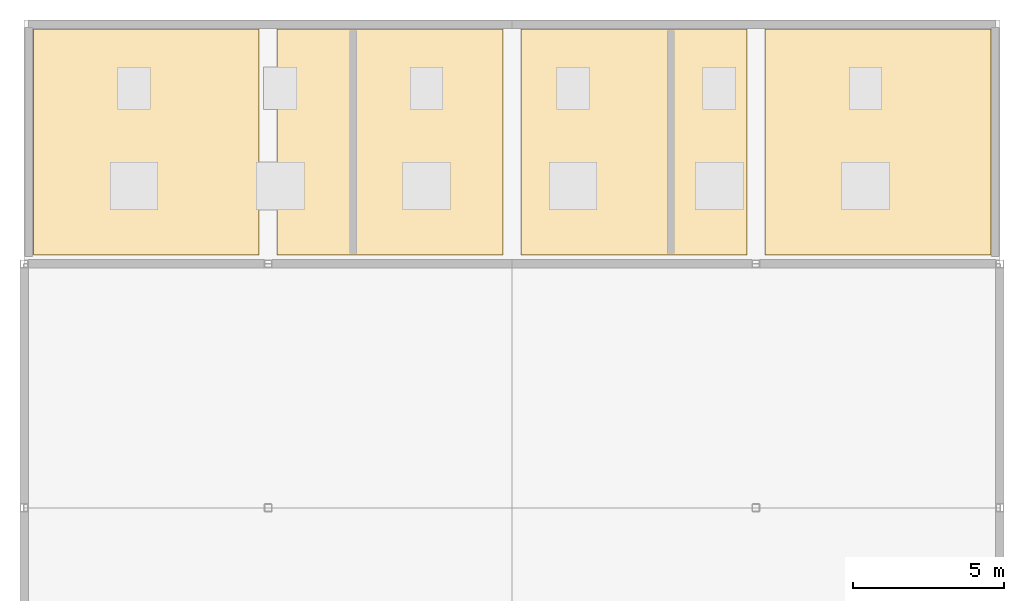
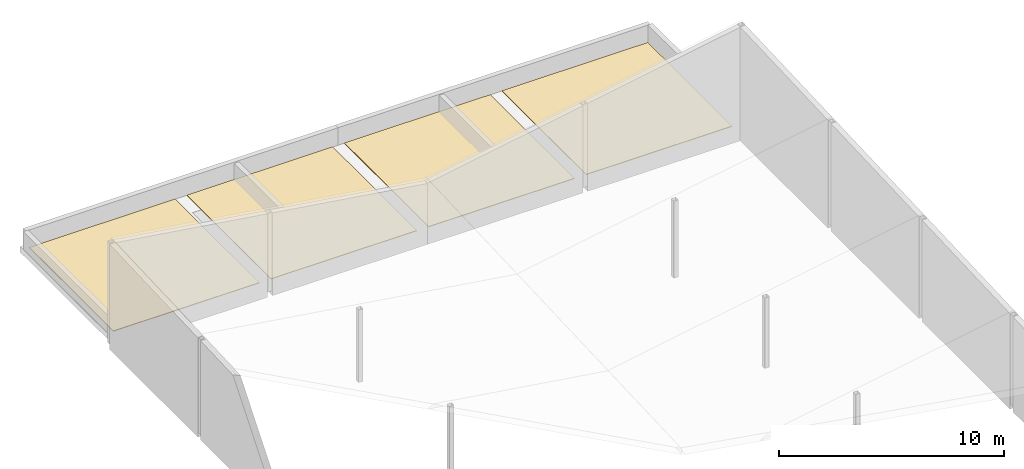
# One storey, part 8 of 8: 4 coverings.
"""IFC4 building model written with IfcOpenShell, lengths in metres."""

from ifc_helpers import new_model, si_unit, direction, frame, origin, place, context, subcontext, project, spatial, polyline, outline, extrude, material, layer, layer_set, type_object, element, save


model = new_model("IFC4")

# Units and contexts
model_context = context("Model", 3, precision=1e-05, world=origin(), true_north=direction((0.0, 1.0)))
body_context = subcontext(model_context, "Body", "Model", "MODEL_VIEW")
ifc_project = project(units=[si_unit("LENGTHUNIT", "METRE"), si_unit("AREAUNIT", "SQUARE_METRE"), si_unit("VOLUMEUNIT", "CUBIC_METRE"), si_unit("PLANEANGLEUNIT", "RADIAN"), si_unit("MASSUNIT", "GRAM", prefix="KILO")], contexts=[model_context])

# Site, building, storey
site_placement = place(None, origin())
site = spatial("IfcSite", under=ifc_project, at=site_placement, CompositionType="ELEMENT")
building_placement = place(site_placement, origin())
building = spatial("IfcBuilding", under=site, at=building_placement, Name="Vaudrelin Polytechnic", CompositionType="ELEMENT")
storey_placement = place(building_placement, frame((0.0, 0.0, 36.2099609375)))
storey = spatial("IfcBuildingStorey", under=building, at=storey_placement, Name="ROOF", CompositionType="ELEMENT", Elevation=36.2099609375)

# Coverings
ifc_material = material(Name="SBS-modified bitumen snow-rated membrane", Category="membrane")
ifc_layer = layer(ifc_material, 0.034912109375)
ifc_layer_set = layer_set([ifc_layer], Name="SBS-modified bitumen snow-rated membrane")
covering_type = type_object("IfcCoveringType", Name="ENV-RFG-MEM", PredefinedType="ROOFING", material=ifc_layer_set)
covering_1_placement = place(storey_placement, frame((0.0, 0.0, 0.300048828125)))
element("IfcCovering", 1, at=covering_1_placement, inside=storey, type_object=covering_type, Name="SBS roofing membrane zone RFG-01", PredefinedType="ROOFING", context=body_context, shape_type="SweptSolid", body=[
    extrude(outline(polyline([(138.0, 105.60009765625), (145.5, 105.60009765625), (145.5, 113.10009765625), (138.0, 113.10009765625), (138.0, 105.60009765625)])), origin(), (0.0, 0.0, 1.0), 0.034912109375),
])
covering_2_placement = place(storey_placement, frame((0.0, 0.0, 0.300048828125)))
element("IfcCovering", 2, at=covering_2_placement, inside=storey, type_object=covering_type, Name="SBS roofing membrane zone RFG-02", PredefinedType="ROOFING", context=body_context, shape_type="SweptSolid", body=[
    extrude(outline(polyline([(146.10009765625, 105.60009765625), (153.60009765625, 105.60009765625), (153.60009765625, 113.10009765625), (146.10009765625, 113.10009765625), (146.10009765625, 105.60009765625)])), origin(), (0.0, 0.0, 1.0), 0.034912109375),
])
covering_3_placement = place(storey_placement, frame((0.0, 0.0, 0.300048828125)))
element("IfcCovering", 3, at=covering_3_placement, inside=storey, type_object=covering_type, Name="SBS roofing membrane zone RFG-03", PredefinedType="ROOFING", context=body_context, shape_type="SweptSolid", body=[
    extrude(outline(polyline([(154.199951171875, 105.60009765625), (161.699951171875, 105.60009765625), (161.699951171875, 113.10009765625), (154.199951171875, 113.10009765625), (154.199951171875, 105.60009765625)])), origin(), (0.0, 0.0, 1.0), 0.034912109375),
])
covering_4_placement = place(storey_placement, frame((0.0, 0.0, 0.300048828125)))
element("IfcCovering", 4, at=covering_4_placement, inside=storey, type_object=covering_type, Name="SBS roofing membrane zone RFG-04", PredefinedType="ROOFING", context=body_context, shape_type="SweptSolid", body=[
    extrude(outline(polyline([(162.300048828125, 105.60009765625), (169.800048828125, 105.60009765625), (169.800048828125, 113.10009765625), (162.300048828125, 113.10009765625), (162.300048828125, 105.60009765625)])), origin(), (0.0, 0.0, 1.0), 0.034912109375),
])

save(model, "model.ifc")
